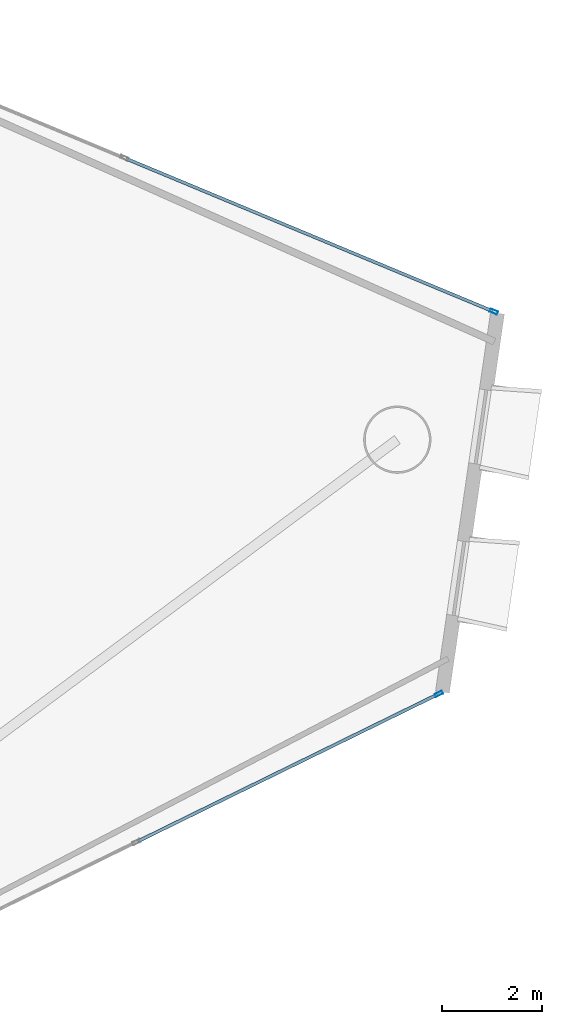
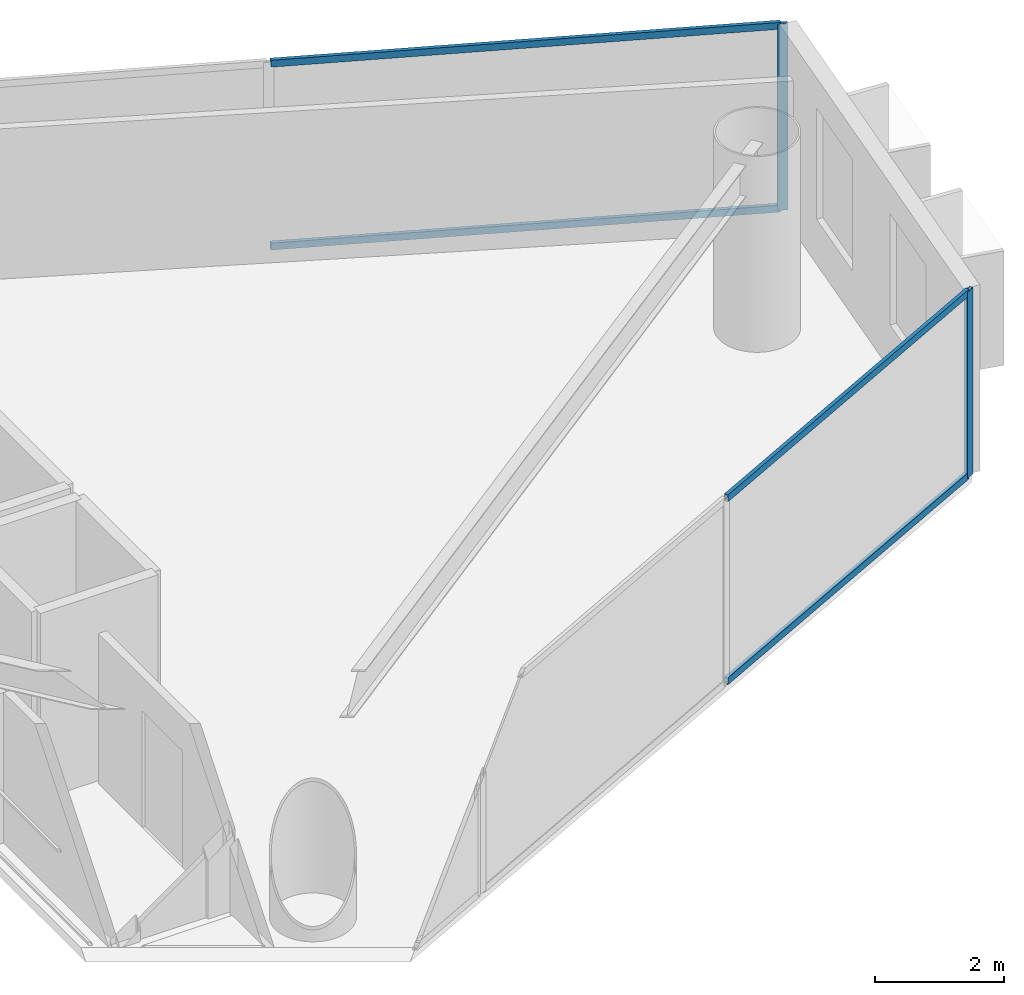
# One storey, part 15 of 22: 6 members, 2 elements without a shape of their own.
"""IFC4 building model written with IfcOpenShell, lengths in metres."""

from ifc_helpers import new_model, si_unit, direction, frame, origin, origin_2d, place, context, subcontext, project, spatial, hollow_rectangle, extrude, material, layer, layer_set, material_profile, profile_set, type_object, element, aggregate, save


model = new_model("IFC4")

# Units and contexts
model_context = context("Model", 3, precision=1e-05, world=origin(), true_north=direction((0.0, 1.0)))
body_context = subcontext(model_context, "Body", "Model", "MODEL_VIEW")
ifc_project = project(units=[si_unit("LENGTHUNIT", "METRE"), si_unit("AREAUNIT", "SQUARE_METRE"), si_unit("VOLUMEUNIT", "CUBIC_METRE"), si_unit("PLANEANGLEUNIT", "RADIAN"), si_unit("MASSUNIT", "GRAM", prefix="KILO")], contexts=[model_context])

# Site, building, storey
site_placement = place(None, origin())
site = spatial("IfcSite", under=ifc_project, at=site_placement, CompositionType="ELEMENT")
building_placement = place(site_placement, origin())
building = spatial("IfcBuilding", under=site, at=building_placement, Name="Qianvela Tower", CompositionType="ELEMENT")
storey_placement = place(building_placement, frame((0.0, 0.0, 155.0)))
storey = spatial("IfcBuildingStorey", under=building, at=storey_placement, Name="L39", CompositionType="ELEMENT", Elevation=155.0)

# Curtain wall, member
ifc_material_1 = material(Name="Anodised Architectural Aluminium and Low-E Glass", Category="aluminium")
ifc_layer = layer(ifc_material_1, 0.169921875)
ifc_layer_set = layer_set([ifc_layer], Name="Anodised Architectural Aluminium and Low-E Glass")
curtain_wall_type = type_object("IfcCurtainWallType", Name="CW-COLIV-Z34", PredefinedType="USERDEFINED", material=ifc_layer_set)
curtain_wall_1_placement = place(storey_placement, origin())
curtain_wall_1 = element("IfcCurtainWall", 1, at=curtain_wall_1_placement, inside=storey, type_object=curtain_wall_type, Name="L39 CW-COLIV-Z34 Curtain Wall 02A", ObjectType="CURTAIN_WALL_SYSTEM", PredefinedType="USERDEFINED")
ifc_material_2 = material(Name="Anodised Architectural Aluminium 6063-T6", Category="aluminium")
ifc_material_profile_1 = material_profile(ifc_material_2, hollow_rectangle(XDim=0.06494140625, YDim=0.159912109375, WallThickness=0.0048828125, at=origin_2d()), Name="ALU-MULL-65x160")
ifc_profile_set_1 = profile_set([ifc_material_profile_1], Name="Anodised Architectural Aluminium 6063-T6")
member_type_1 = type_object("IfcMemberType", Name="CW-COLIV-Z34-MULL", PredefinedType="MULLION", material=ifc_profile_set_1)
member_1_placement = place(storey_placement, frame((59.368408203125, 30.186767578125, 0.0), z_axis=(0.0, 0.0, 1.0), x_axis=(-0.384185162633, -0.923256064596, 0.0)))
member_1 = element("IfcMember", 2, at=member_1_placement, type_object=member_type_1, Name="CW-4 mullion 1", PredefinedType="MULLION", context=body_context, shape_type="SweptSolid", body=[
    extrude(hollow_rectangle(XDim=0.06494140625, YDim=0.159912109375, WallThickness=0.0048828125, at=origin_2d()), origin(), (0.0, 0.0, 1.0), 3.52001953125),
])

curtain_wall_2_placement = place(storey_placement, origin())
curtain_wall_2 = element("IfcCurtainWall", 3, at=curtain_wall_2_placement, inside=storey, type_object=curtain_wall_type, Name="L39 CW-COLIV-Z34 Curtain Wall 06C", ObjectType="CURTAIN_WALL_SYSTEM", PredefinedType="USERDEFINED")
member_2_placement = place(storey_placement, frame((58.2666015625, 22.51806640625, 0.0), z_axis=(0.0, 0.0, 1.0), x_axis=(-0.440146392296, 0.897926028885, 0.0)))
member_2 = element("IfcMember", 4, at=member_2_placement, type_object=member_type_1, Name="CW-4 mullion 3", PredefinedType="MULLION", context=body_context, shape_type="SweptSolid", body=[
    extrude(hollow_rectangle(XDim=0.06494140625, YDim=0.159912109375, WallThickness=0.0048828125, at=origin_2d()), origin(), (0.0, 0.0, 1.0), 3.52001953125),
])

# Member
ifc_material_3 = material(Name="Anodised Architectural Aluminium 6063-T6", Category="aluminium")
ifc_material_profile_2 = material_profile(ifc_material_3, hollow_rectangle(XDim=0.06494140625, YDim=0.1298828125, WallThickness=0.00439453125, at=origin_2d()), Name="ALU-TRAN-65x130")
ifc_profile_set_2 = profile_set([ifc_material_profile_2], Name="Anodised Architectural Aluminium 6063-T6")
member_type_2 = type_object("IfcMemberType", Name="CW-COLIV-Z34-TRAN", PredefinedType="USERDEFINED", material=ifc_profile_set_2)
member_3_placement = place(storey_placement, frame((59.33837890625, 30.19921875, 0.032470703125), z_axis=(-0.923254738212, 0.384188350122, 0.0), x_axis=(-0.384188350122, -0.923254738212, 0.0)))
member_3 = element("IfcMember", 5, at=member_3_placement, type_object=member_type_2, Name="CW-4 transom 1.1", ObjectType="TRANSOM", PredefinedType="USERDEFINED", context=body_context, shape_type="SweptSolid", body=[
    extrude(hollow_rectangle(XDim=0.06494140625, YDim=0.1298828125, WallThickness=0.00439453125, at=origin_2d()), origin(), (0.0, 0.0, 1.0), 7.957275390625),
])

member_4_placement = place(storey_placement, frame((59.33837890625, 30.19921875, 3.487548828125), z_axis=(-0.923254738212, 0.384188350122, 0.0), x_axis=(-0.384188350122, -0.923254738212, 0.0)))
member_4 = element("IfcMember", 6, at=member_4_placement, type_object=member_type_2, Name="CW-4 transom 1.2", ObjectType="TRANSOM", PredefinedType="USERDEFINED", context=body_context, shape_type="SweptSolid", body=[
    extrude(hollow_rectangle(XDim=0.06494140625, YDim=0.1298828125, WallThickness=0.00439453125, at=origin_2d()), origin(), (0.0, 0.0, 1.0), 7.957275390625),
])

aggregate(curtain_wall_1, [member_1, member_3, member_4])

member_5_placement = place(storey_placement, frame((52.22705078125, 19.5576171875, 0.032470703125), z_axis=(0.897937115886, 0.440123773403, 0.0), x_axis=(-0.440123773403, 0.897937115886, 0.0)))
member_5 = element("IfcMember", 7, at=member_5_placement, type_object=member_type_2, Name="CW-4 transom 2.1", ObjectType="TRANSOM", PredefinedType="USERDEFINED", context=body_context, shape_type="SweptSolid", body=[
    extrude(hollow_rectangle(XDim=0.06494140625, YDim=0.1298828125, WallThickness=0.00439453125, at=origin_2d()), origin(), (0.0, 0.0, 1.0), 6.693603515625),
])

member_6_placement = place(storey_placement, frame((52.22705078125, 19.5576171875, 3.487548828125), z_axis=(0.897937115886, 0.440123773403, 0.0), x_axis=(-0.440123773403, 0.897937115886, 0.0)))
member_6 = element("IfcMember", 8, at=member_6_placement, type_object=member_type_2, Name="CW-4 transom 2.2", ObjectType="TRANSOM", PredefinedType="USERDEFINED", context=body_context, shape_type="SweptSolid", body=[
    extrude(hollow_rectangle(XDim=0.06494140625, YDim=0.1298828125, WallThickness=0.00439453125, at=origin_2d()), origin(), (0.0, 0.0, 1.0), 6.693603515625),
])

aggregate(curtain_wall_2, [member_2, member_5, member_6])

save(model, "model.ifc")
